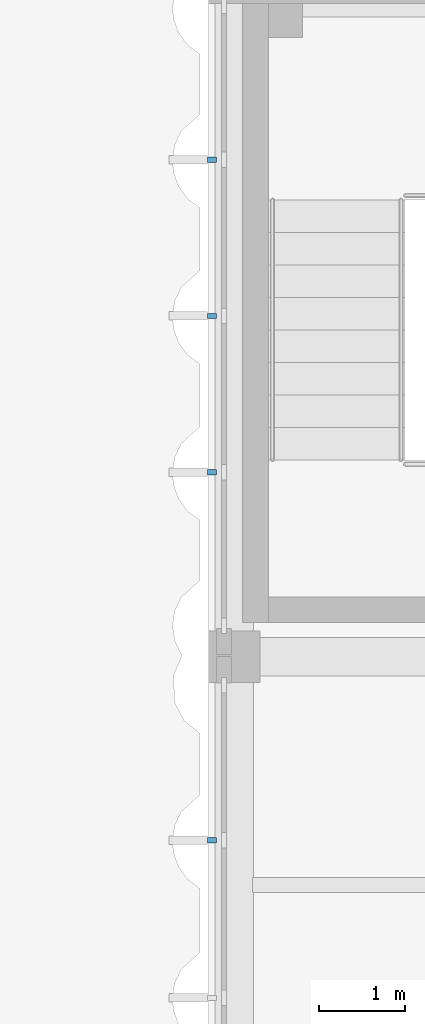
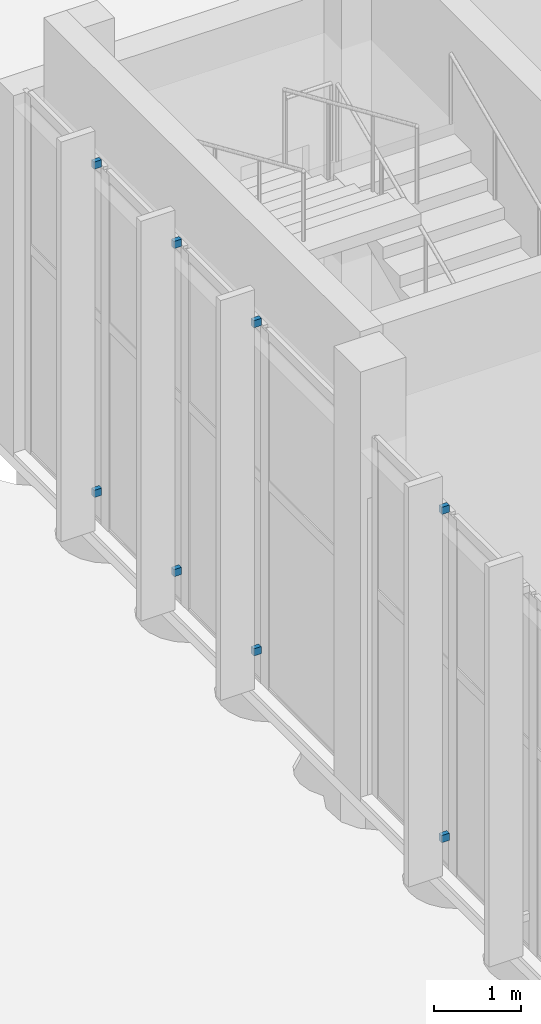
# One storey, part 113 of 155: 8 discrete accessories.
"""IFC4 building model written with IfcOpenShell, lengths in metres."""

import ifcopenshell
import ifcopenshell.guid

model = None  # the IFC model being written
_history = None  # IfcOwnerHistory: only IFC2X3 demands one
_inside = {}  # id of a spatial element -> (the spatial element, [elements in it])
_under = {}  # id of a project, library or spatial element -> (it, [spatial elements below it])
_declared = {}  # id of a project -> (the project, [libraries it declares])
_typed = {}  # id of a type object -> (the type object, [elements of that type])
_made_of = {}  # id of a material, layer set ... -> (it, [elements and type objects made of it])


def new_model(schema):
    """Start an empty IFC model of exactly this schema.

    Asked for "IFC4X3", IfcOpenShell would pick the latest addendum, in which some entities
    have other attributes; the version numbers below select the first issue.
    IFC2X3 requires an IfcOwnerHistory on every rooted entity: one is made here for all.
    """
    global model, _history
    if schema == "IFC4X3":
        model = ifcopenshell.file(schema_version=(4, 3, 0, 0))
    else:
        model = ifcopenshell.file(schema=schema)
    _inside.clear()
    _under.clear()
    _declared.clear()
    _typed.clear()
    _made_of.clear()
    _history = None
    if model.schema == "IFC2X3":
        org = make("IfcOrganization", Name="unknown")
        user = make(
            "IfcPersonAndOrganization",
            ThePerson=make("IfcPerson", FamilyName="unknown"),
            TheOrganization=org,
        )
        app = make(
            "IfcApplication",
            ApplicationDeveloper=org,
            Version="unknown",
            ApplicationFullName="unknown",
            ApplicationIdentifier="unknown",
        )
        _history = make(
            "IfcOwnerHistory",
            OwningUser=user,
            OwningApplication=app,
            ChangeAction="ADDED",
            CreationDate=0,
        )
    return model


def make(cls, **values):
    """One entity of the class cls with the attributes given. An attribute that is None is left unset."""
    return model.create_entity(
        cls, **{name: value for name, value in values.items() if value is not None}
    )


def rooted(cls, **values):
    """An entity with a GlobalId (a new one), such as an element, a storey or a relation."""
    return make(cls, GlobalId=ifcopenshell.guid.new(), OwnerHistory=_history, **values)


def si_unit(unit_type, name, prefix=None):
    """IfcSIUnit, for example si_unit("LENGTHUNIT", "METRE", prefix="MILLI")."""
    return make("IfcSIUnit", UnitType=unit_type, Prefix=prefix, Name=name)


def assignment(units):
    """IfcUnitAssignment: the units of a project."""
    return None if units is None else make("IfcUnitAssignment", Units=units)


def point(xyz):
    """IfcCartesianPoint."""
    return None if xyz is None else make("IfcCartesianPoint", Coordinates=xyz)


def direction(xyz):
    """IfcDirection."""
    return None if xyz is None else make("IfcDirection", DirectionRatios=xyz)


def frame(location, z_axis=None, x_axis=None):
    """IfcAxis2Placement3D, a coordinate frame: its origin and axes. An axis left out is left unset."""
    return make(
        "IfcAxis2Placement3D",
        Location=point(location),
        Axis=direction(z_axis),
        RefDirection=direction(x_axis),
    )


def frame_2d(location, x_axis=None):
    """IfcAxis2Placement2D, a coordinate frame in the plane: its origin and x axis."""
    return make(
        "IfcAxis2Placement2D", Location=point(location), RefDirection=direction(x_axis)
    )


def origin():
    """The frame at (0, 0, 0) with its axes left unset."""
    return frame((0.0, 0.0, 0.0))


def origin_2d():
    """The frame at (0, 0) in the plane with its x axis left unset."""
    return frame_2d((0.0, 0.0))


def place(relative_to, where):
    """IfcLocalPlacement: puts the frame where relative to a parent placement (None: the world)."""
    return make(
        "IfcLocalPlacement", PlacementRelTo=relative_to, RelativePlacement=where
    )


def context(
    kind, dimensions, precision=None, world=None, true_north=None, identifier=None
):
    """IfcGeometricRepresentationContext, for example the 3D "Model" context."""
    return make(
        "IfcGeometricRepresentationContext",
        ContextIdentifier=identifier,
        ContextType=kind,
        CoordinateSpaceDimension=dimensions,
        Precision=precision,
        WorldCoordinateSystem=world,
        TrueNorth=true_north,
    )


def subcontext(parent, identifier, kind, view, scale=None):
    """IfcGeometricRepresentationSubContext, for example "Body" below "Model"."""
    return make(
        "IfcGeometricRepresentationSubContext",
        ContextIdentifier=identifier,
        ContextType=kind,
        ParentContext=parent,
        TargetScale=scale,
        TargetView=view,
    )


def project(units=None, contexts=None):
    """IfcProject with its units and contexts."""
    return rooted(
        "IfcProject",
        Name="project",
        RepresentationContexts=contexts,
        UnitsInContext=assignment(units),
    )


def spatial(cls, under=None, at=None, **own):
    """A site, building, storey or space (cls), placed at a placement, below another one or the project."""
    s = rooted(cls, ObjectPlacement=at, **own)
    if under is not None:
        _under.setdefault(under.id(), (under, []))[1].append(s)
    return s


def profile(cls, at=None, kind="AREA", **sizes):
    """A parametric profile (cls). Its sizes go by their IFC names, for example OverallWidth=200.0."""
    return make(cls, ProfileType=kind, Position=at, **sizes)


def rectangle(**sizes):
    """IfcRectangleProfileDef."""
    return profile("IfcRectangleProfileDef", **sizes)


def extrude(swept, where, along, depth):
    """IfcExtrudedAreaSolid: the profile swept, set in the frame where, extruded along a direction by depth."""
    return make(
        "IfcExtrudedAreaSolid",
        SweptArea=swept,
        Position=where,
        ExtrudedDirection=direction(along),
        Depth=depth,
    )


def shape(context_of_items, identifier, shape_type, items):
    """IfcShapeRepresentation: the items that make up one representation, for example the "Body"."""
    return make(
        "IfcShapeRepresentation",
        ContextOfItems=context_of_items,
        RepresentationIdentifier=identifier,
        RepresentationType=shape_type,
        Items=items,
    )


def material(Name=None, Category=None):
    """IfcMaterial."""
    return make("IfcMaterial", Name=Name, Category=Category)


def made_of(thing, what):
    """Note that an element or type object is made of a material, layer set ...; save() writes the relation."""
    if what is not None:
        _made_of.setdefault(what.id(), (what, []))[1].append(thing)
    return thing


def type_object(cls, material=None, **own):
    """A type object (cls), such as IfcWallType, which elements share."""
    return made_of(rooted(cls, **own), material)


def element(
    cls,
    number,
    at=None,
    inside=None,
    cuts=None,
    type_object=None,
    material=None,
    context=None,
    identifier="Body",
    shape_type=None,
    held_by="IfcProductDefinitionShape",
    body=None,
    shapes=None,
    **own,
):
    """One element of the class cls, such as IfcWall. Its Tag is "e" and its number.

    at: its placement. inside: the storey or other place that contains it. cuts: it is an
    opening in that element (IfcRelVoidsElement). A single representation is given by context,
    identifier, shape_type and body (its items); several are given by shapes. held_by: the class
    of the entity that holds the representations. save() writes the other relations.
    """
    e = rooted(cls, Tag="e%d" % number, ObjectPlacement=at, **own)
    if body is not None:
        shapes = [shape(context, identifier, shape_type, body)]
    if shapes is not None:
        e.Representation = make(held_by, Representations=shapes)
    if inside is not None:
        _inside.setdefault(inside.id(), (inside, []))[1].append(e)
    if cuts is not None:
        rooted(
            "IfcRelVoidsElement", RelatingBuildingElement=cuts, RelatedOpeningElement=e
        )
    if type_object is not None:
        _typed.setdefault(type_object.id(), (type_object, []))[1].append(e)
    return made_of(e, material)


def aggregate(whole, parts):
    """IfcRelAggregates: a whole, such as a stair, and the parts it consists of."""
    return rooted("IfcRelAggregates", RelatingObject=whole, RelatedObjects=parts)


def save(model, path):
    """Write the relations noted so far, then the file.

    IfcRelAggregates (storeys below a building ...), IfcRelContainedInSpatialStructure (elements
    in a storey), IfcRelDefinesByType, IfcRelAssociatesMaterial and IfcRelDeclares: one each for
    every whole, place, type object, material and project.
    """
    for whole, parts in _under.values():
        aggregate(whole, parts)
    for where, things in _inside.values():
        rooted(
            "IfcRelContainedInSpatialStructure",
            RelatedElements=things,
            RelatingStructure=where,
        )
    for kind, things in _typed.values():
        rooted("IfcRelDefinesByType", RelatedObjects=things, RelatingType=kind)
    for what, things in _made_of.values():
        rooted("IfcRelAssociatesMaterial", RelatedObjects=things, RelatingMaterial=what)
    for by, libraries in _declared.values():
        rooted("IfcRelDeclares", RelatingContext=by, RelatedDefinitions=libraries)
    model.write(path)


model = new_model("IFC4")

# Units and contexts
model_context = context("Model", 3, precision=1e-05, world=origin(), true_north=direction((0.0, 1.0)))
body_context = subcontext(model_context, "Body", "Model", "MODEL_VIEW")
ifc_project = project(units=[si_unit("LENGTHUNIT", "METRE"), si_unit("AREAUNIT", "SQUARE_METRE"), si_unit("VOLUMEUNIT", "CUBIC_METRE"), si_unit("PLANEANGLEUNIT", "RADIAN"), si_unit("MASSUNIT", "GRAM", prefix="KILO")], contexts=[model_context])

# Site, building, storey
site_placement = place(None, origin())
site = spatial("IfcSite", under=ifc_project, at=site_placement, CompositionType="ELEMENT")
building_placement = place(site_placement, origin())
building = spatial("IfcBuilding", under=site, at=building_placement, Name="Lunette Opera House", CompositionType="ELEMENT")
storey_placement = place(building_placement, origin())
storey = spatial("IfcBuildingStorey", under=building, at=storey_placement, Name="L00", CompositionType="ELEMENT", Elevation=0.0)

# Discrete accessories
ifc_material = material(Name="Galvanised steel", Category="steel")
discrete_accessory_type = type_object("IfcDiscreteAccessoryType", Name="FIN BRACKET STEEL", PredefinedType="BRACKET", material=ifc_material)
for number, where, z_axis, x_axis, name in (
    (1, (8.0419921875, 109.80908203125, 0.56494140625), (0.0, 0.0, 1.0), (-1.0, 0.0, 0.0), "Fin bracket RW-X2001 1 1"),
    (2, (8.0419921875, 109.80908203125, 5.14990234375), (0.0, 0.0, 1.0), (-1.0, 0.0, 0.0), "Fin bracket RW-X2001 1 2"),
    (3, (8.0419921875, 107.98291015625, 0.56494140625), (0.0, 0.0, 1.0), (-1.0, 0.0, 0.0), "Fin bracket RW-X2001 2 1"),
    (4, (8.0419921875, 107.98291015625, 5.14990234375), (0.0, 0.0, 1.0), (-1.0, 0.0, 0.0), "Fin bracket RW-X2001 2 2"),
    (5, (8.0419921875, 106.156005859375, 0.56494140625), (0.0, 0.0, 1.0), (-1.0, 0.0, 0.0), "Fin bracket RW-X2001 3 1"),
    (6, (8.0419921875, 106.156005859375, 5.14990234375), (0.0, 0.0, 1.0), (-1.0, 0.0, 0.0), "Fin bracket RW-X2001 3 2"),
    (7, (8.0419921875, 101.85498046875, 0.56494140625), (0.0, 0.0, 1.0), (-1.0, 0.0, 0.0), "Fin bracket RW-X2002 1 1"),
    (8, (8.0419921875, 101.85498046875, 5.14990234375), (0.0, 0.0, 1.0), (-1.0, 0.0, 0.0), "Fin bracket RW-X2002 1 2"),
):
    element("IfcDiscreteAccessory", number, at=place(storey_placement, frame(where, z_axis=z_axis, x_axis=x_axis)), inside=storey, type_object=discrete_accessory_type, Name=name, PredefinedType="BRACKET", context=body_context, shape_type="SweptSolid", body=[
        extrude(rectangle(XDim=0.10009765625, YDim=0.06005859375, at=origin_2d()), origin(), (0.0, 0.0, 1.0), 0.10009765625),
    ])

save(model, "model.ifc")
